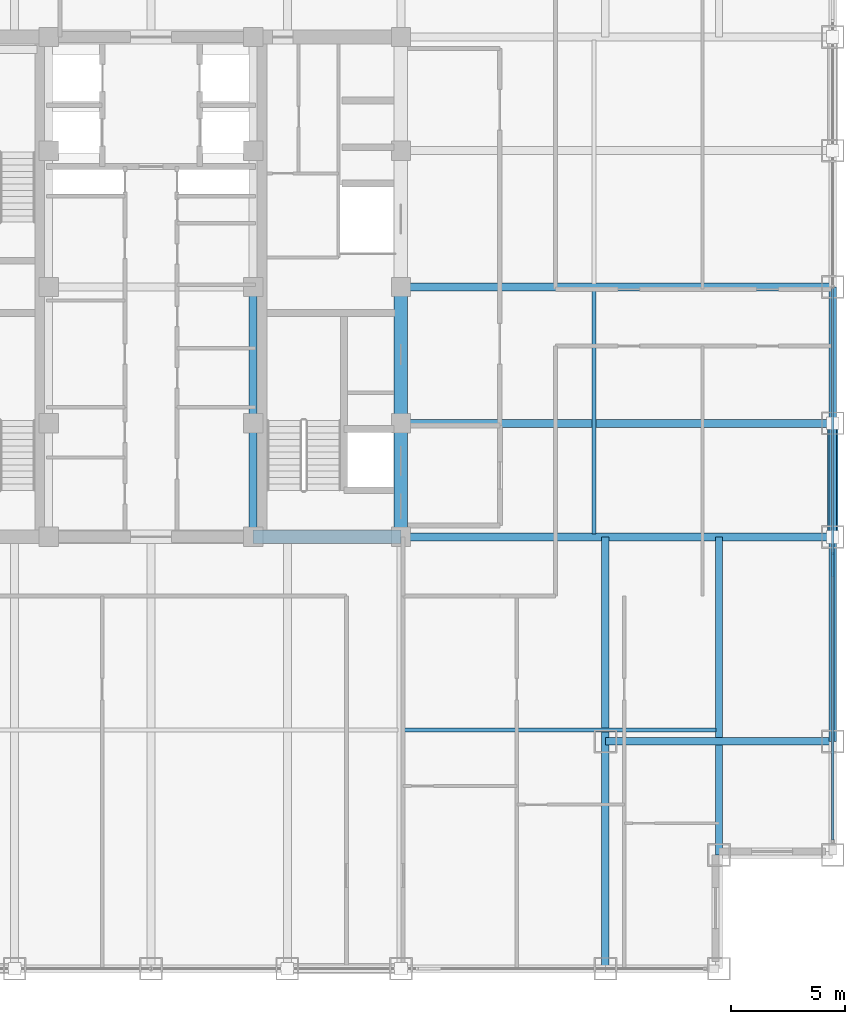
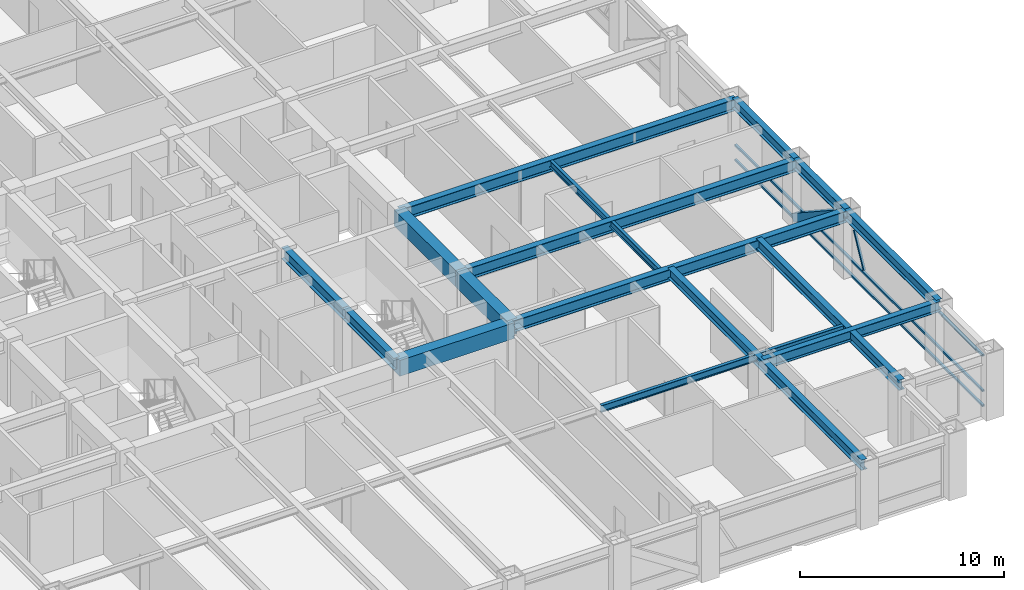
# One storey, part 9 of 25: 16 beams, 5 members, 1 element without a shape of its own.
"""IFC4 building model written with IfcOpenShell, lengths in metres."""

import ifcopenshell
import ifcopenshell.guid

model = None  # the IFC model being written
_history = None  # IfcOwnerHistory: only IFC2X3 demands one
_inside = {}  # id of a spatial element -> (the spatial element, [elements in it])
_under = {}  # id of a project, library or spatial element -> (it, [spatial elements below it])
_declared = {}  # id of a project -> (the project, [libraries it declares])
_typed = {}  # id of a type object -> (the type object, [elements of that type])
_made_of = {}  # id of a material, layer set ... -> (it, [elements and type objects made of it])


def new_model(schema):
    """Start an empty IFC model of exactly this schema.

    Asked for "IFC4X3", IfcOpenShell would pick the latest addendum, in which some entities
    have other attributes; the version numbers below select the first issue.
    IFC2X3 requires an IfcOwnerHistory on every rooted entity: one is made here for all.
    """
    global model, _history
    if schema == "IFC4X3":
        model = ifcopenshell.file(schema_version=(4, 3, 0, 0))
    else:
        model = ifcopenshell.file(schema=schema)
    _inside.clear()
    _under.clear()
    _declared.clear()
    _typed.clear()
    _made_of.clear()
    _history = None
    if model.schema == "IFC2X3":
        org = make("IfcOrganization", Name="unknown")
        user = make(
            "IfcPersonAndOrganization",
            ThePerson=make("IfcPerson", FamilyName="unknown"),
            TheOrganization=org,
        )
        app = make(
            "IfcApplication",
            ApplicationDeveloper=org,
            Version="unknown",
            ApplicationFullName="unknown",
            ApplicationIdentifier="unknown",
        )
        _history = make(
            "IfcOwnerHistory",
            OwningUser=user,
            OwningApplication=app,
            ChangeAction="ADDED",
            CreationDate=0,
        )
    return model


def make(cls, **values):
    """One entity of the class cls with the attributes given. An attribute that is None is left unset."""
    return model.create_entity(
        cls, **{name: value for name, value in values.items() if value is not None}
    )


def rooted(cls, **values):
    """An entity with a GlobalId (a new one), such as an element, a storey or a relation."""
    return make(cls, GlobalId=ifcopenshell.guid.new(), OwnerHistory=_history, **values)


def si_unit(unit_type, name, prefix=None):
    """IfcSIUnit, for example si_unit("LENGTHUNIT", "METRE", prefix="MILLI")."""
    return make("IfcSIUnit", UnitType=unit_type, Prefix=prefix, Name=name)


def assignment(units):
    """IfcUnitAssignment: the units of a project."""
    return None if units is None else make("IfcUnitAssignment", Units=units)


def point(xyz):
    """IfcCartesianPoint."""
    return None if xyz is None else make("IfcCartesianPoint", Coordinates=xyz)


def direction(xyz):
    """IfcDirection."""
    return None if xyz is None else make("IfcDirection", DirectionRatios=xyz)


def frame(location, z_axis=None, x_axis=None):
    """IfcAxis2Placement3D, a coordinate frame: its origin and axes. An axis left out is left unset."""
    return make(
        "IfcAxis2Placement3D",
        Location=point(location),
        Axis=direction(z_axis),
        RefDirection=direction(x_axis),
    )


def frame_2d(location, x_axis=None):
    """IfcAxis2Placement2D, a coordinate frame in the plane: its origin and x axis."""
    return make(
        "IfcAxis2Placement2D", Location=point(location), RefDirection=direction(x_axis)
    )


def origin():
    """The frame at (0, 0, 0) with its axes left unset."""
    return frame((0.0, 0.0, 0.0))


def origin_2d():
    """The frame at (0, 0) in the plane with its x axis left unset."""
    return frame_2d((0.0, 0.0))


def place(relative_to, where):
    """IfcLocalPlacement: puts the frame where relative to a parent placement (None: the world)."""
    return make(
        "IfcLocalPlacement", PlacementRelTo=relative_to, RelativePlacement=where
    )


def context(
    kind, dimensions, precision=None, world=None, true_north=None, identifier=None
):
    """IfcGeometricRepresentationContext, for example the 3D "Model" context."""
    return make(
        "IfcGeometricRepresentationContext",
        ContextIdentifier=identifier,
        ContextType=kind,
        CoordinateSpaceDimension=dimensions,
        Precision=precision,
        WorldCoordinateSystem=world,
        TrueNorth=true_north,
    )


def subcontext(parent, identifier, kind, view, scale=None):
    """IfcGeometricRepresentationSubContext, for example "Body" below "Model"."""
    return make(
        "IfcGeometricRepresentationSubContext",
        ContextIdentifier=identifier,
        ContextType=kind,
        ParentContext=parent,
        TargetScale=scale,
        TargetView=view,
    )


def project(units=None, contexts=None):
    """IfcProject with its units and contexts."""
    return rooted(
        "IfcProject",
        Name="project",
        RepresentationContexts=contexts,
        UnitsInContext=assignment(units),
    )


def spatial(cls, under=None, at=None, **own):
    """A site, building, storey or space (cls), placed at a placement, below another one or the project."""
    s = rooted(cls, ObjectPlacement=at, **own)
    if under is not None:
        _under.setdefault(under.id(), (under, []))[1].append(s)
    return s


def profile(cls, at=None, kind="AREA", **sizes):
    """A parametric profile (cls). Its sizes go by their IFC names, for example OverallWidth=200.0."""
    return make(cls, ProfileType=kind, Position=at, **sizes)


def rectangle(**sizes):
    """IfcRectangleProfileDef."""
    return profile("IfcRectangleProfileDef", **sizes)


def hollow_rectangle(**sizes):
    """IfcRectangleHollowProfileDef."""
    return profile("IfcRectangleHollowProfileDef", **sizes)


def i_section(**sizes):
    """IfcIShapeProfileDef."""
    return profile("IfcIShapeProfileDef", **sizes)


def extrude(swept, where, along, depth):
    """IfcExtrudedAreaSolid: the profile swept, set in the frame where, extruded along a direction by depth."""
    return make(
        "IfcExtrudedAreaSolid",
        SweptArea=swept,
        Position=where,
        ExtrudedDirection=direction(along),
        Depth=depth,
    )


def shape(context_of_items, identifier, shape_type, items):
    """IfcShapeRepresentation: the items that make up one representation, for example the "Body"."""
    return make(
        "IfcShapeRepresentation",
        ContextOfItems=context_of_items,
        RepresentationIdentifier=identifier,
        RepresentationType=shape_type,
        Items=items,
    )


def source(mapping_origin, context_of_items, identifier, shape_type, items):
    """IfcRepresentationMap: a shape defined once, which mapped items show again and again."""
    return make(
        "IfcRepresentationMap",
        MappingOrigin=mapping_origin,
        MappedRepresentation=shape(context_of_items, identifier, shape_type, items),
    )


def transform(
    local_origin,
    x_axis=None,
    y_axis=None,
    z_axis=None,
    scale=None,
    scale2=None,
    scale3=None,
    uniform=True,
):
    """IfcCartesianTransformationOperator3D, or its non-uniform kind. x_axis, y_axis, z_axis: its Axis1, 2, 3."""
    if uniform:
        return make(
            "IfcCartesianTransformationOperator3D",
            Axis1=direction(x_axis),
            Axis2=direction(y_axis),
            LocalOrigin=point(local_origin),
            Scale=scale,
            Axis3=direction(z_axis),
        )
    return make(
        "IfcCartesianTransformationOperator3DnonUniform",
        Axis1=direction(x_axis),
        Axis2=direction(y_axis),
        LocalOrigin=point(local_origin),
        Scale=scale,
        Axis3=direction(z_axis),
        Scale2=scale2,
        Scale3=scale3,
    )


def mapped(mapping_source, mapping_target):
    """IfcMappedItem: shows the shape of a source again, moved by a transform."""
    return make(
        "IfcMappedItem", MappingSource=mapping_source, MappingTarget=mapping_target
    )


def material(Name=None, Category=None):
    """IfcMaterial."""
    return make("IfcMaterial", Name=Name, Category=Category)


def material_profile(
    of_material, cross_section, Name=None, Category=None, Priority=None
):
    """IfcMaterialProfile: a cross section and its material."""
    return make(
        "IfcMaterialProfile",
        Name=Name,
        Material=of_material,
        Profile=cross_section,
        Priority=Priority,
        Category=Category,
    )


def profile_set(profiles, Name=None, composite=None):
    """IfcMaterialProfileSet."""
    return make(
        "IfcMaterialProfileSet",
        Name=Name,
        MaterialProfiles=profiles,
        CompositeProfile=composite,
    )


def made_of(thing, what):
    """Note that an element or type object is made of a material, layer set ...; save() writes the relation."""
    if what is not None:
        _made_of.setdefault(what.id(), (what, []))[1].append(thing)
    return thing


def type_object(cls, material=None, **own):
    """A type object (cls), such as IfcWallType, which elements share."""
    return made_of(rooted(cls, **own), material)


def element(
    cls,
    number,
    at=None,
    inside=None,
    cuts=None,
    type_object=None,
    material=None,
    context=None,
    identifier="Body",
    shape_type=None,
    held_by="IfcProductDefinitionShape",
    body=None,
    shapes=None,
    **own,
):
    """One element of the class cls, such as IfcWall. Its Tag is "e" and its number.

    at: its placement. inside: the storey or other place that contains it. cuts: it is an
    opening in that element (IfcRelVoidsElement). A single representation is given by context,
    identifier, shape_type and body (its items); several are given by shapes. held_by: the class
    of the entity that holds the representations. save() writes the other relations.
    """
    e = rooted(cls, Tag="e%d" % number, ObjectPlacement=at, **own)
    if body is not None:
        shapes = [shape(context, identifier, shape_type, body)]
    if shapes is not None:
        e.Representation = make(held_by, Representations=shapes)
    if inside is not None:
        _inside.setdefault(inside.id(), (inside, []))[1].append(e)
    if cuts is not None:
        rooted(
            "IfcRelVoidsElement", RelatingBuildingElement=cuts, RelatedOpeningElement=e
        )
    if type_object is not None:
        _typed.setdefault(type_object.id(), (type_object, []))[1].append(e)
    return made_of(e, material)


def aggregate(whole, parts):
    """IfcRelAggregates: a whole, such as a stair, and the parts it consists of."""
    return rooted("IfcRelAggregates", RelatingObject=whole, RelatedObjects=parts)


def save(model, path):
    """Write the relations noted so far, then the file.

    IfcRelAggregates (storeys below a building ...), IfcRelContainedInSpatialStructure (elements
    in a storey), IfcRelDefinesByType, IfcRelAssociatesMaterial and IfcRelDeclares: one each for
    every whole, place, type object, material and project.
    """
    for whole, parts in _under.values():
        aggregate(whole, parts)
    for where, things in _inside.values():
        rooted(
            "IfcRelContainedInSpatialStructure",
            RelatedElements=things,
            RelatingStructure=where,
        )
    for kind, things in _typed.values():
        rooted("IfcRelDefinesByType", RelatedObjects=things, RelatingType=kind)
    for what, things in _made_of.values():
        rooted("IfcRelAssociatesMaterial", RelatedObjects=things, RelatingMaterial=what)
    for by, libraries in _declared.values():
        rooted("IfcRelDeclares", RelatingContext=by, RelatedDefinitions=libraries)
    model.write(path)


model = new_model("IFC4")

# Units and contexts
model_context = context("Model", 3, precision=1e-05, world=origin(), true_north=direction((0.0, 1.0)))
body_context = subcontext(model_context, "Body", "Model", "MODEL_VIEW")
ifc_project = project(units=[si_unit("LENGTHUNIT", "METRE"), si_unit("AREAUNIT", "SQUARE_METRE"), si_unit("VOLUMEUNIT", "CUBIC_METRE"), si_unit("PLANEANGLEUNIT", "RADIAN"), si_unit("MASSUNIT", "GRAM", prefix="KILO")], contexts=[model_context])

# Site, building, storey
site_placement = place(None, origin())
site = spatial("IfcSite", under=ifc_project, at=site_placement, CompositionType="ELEMENT")
building_placement = place(site_placement, origin())
building = spatial("IfcBuilding", under=site, at=building_placement, Name="Khorayat Bourse Tower", CompositionType="ELEMENT")
storey_placement = place(building_placement, frame((0.0, 0.0, 255.10009765625)))
storey = spatial("IfcBuildingStorey", under=building, at=storey_placement, Name="L60", CompositionType="ELEMENT", Elevation=255.10009765625)

# Beams
ifc_material_1 = material(Name="Steel ASTM A992 Grade 50", Category="steel")
ifc_material_profile_1 = material_profile(ifc_material_1, i_section(OverallWidth=0.35498046875, OverallDepth=0.695068359375, WebThickness=0.015380859375, FlangeThickness=0.02490234375, FilletRadius=0.01806640625, at=origin_2d()), Name="W690X217")
ifc_profile_set_1 = profile_set([ifc_material_profile_1], Name="Steel ASTM A992 Grade 50")
beam_type_1 = type_object("IfcBeamType", Name="BM-GIRD-690", PredefinedType="BEAM", material=ifc_profile_set_1)
shared_shape_1 = source(origin(), body_context, "Body", "SweptSolid", [
    extrude(i_section(OverallWidth=0.35498046875, OverallDepth=0.695068359375, WebThickness=0.015380859375, FlangeThickness=0.02490234375, FilletRadius=0.01806640625, at=origin_2d()), origin(), (0.0, 0.0, 1.0), 5.0),
])
beam_1_placement = place(storey_placement, frame((4.5, -11.0, 3.432373046875), z_axis=(0.0, 1.0, 0.0), x_axis=(-1.0, 0.0, 0.0)))
element("IfcBeam", 1, at=beam_1_placement, inside=storey, type_object=beam_type_1, Name="L60 BM-GIRD-690 BM-L60-CRX-09", PredefinedType="BEAM", context=body_context, shape_type="MappedRepresentation", body=[
    mapped(shared_shape_1, transform((0.0, 0.0, 0.0), scale=1.0)),
])
shared_shape_2 = source(origin(), body_context, "Body", "SweptSolid", [
    extrude(i_section(OverallWidth=0.35498046875, OverallDepth=0.695068359375, WebThickness=0.015380859375, FlangeThickness=0.02490234375, FilletRadius=0.01806640625, at=origin_2d()), origin(), (0.0, 0.0, 1.0), 6.0),
])
beam_2_placement = place(storey_placement, frame((4.5, -6.0, 3.432373046875), z_axis=(0.0, 1.0, 0.0), x_axis=(-1.0, 0.0, 0.0)))
element("IfcBeam", 2, at=beam_2_placement, inside=storey, type_object=beam_type_1, Name="L60 BM-GIRD-690 BM-L60-CRX-10", PredefinedType="BEAM", context=body_context, shape_type="MappedRepresentation", body=[
    mapped(shared_shape_2, transform((0.0, 0.0, 0.0), scale=1.0)),
])
ifc_material_profile_2 = material_profile(ifc_material_1, i_section(OverallWidth=0.324951171875, OverallDepth=0.615966796875, WebThickness=0.013916015625, FlangeThickness=0.021484375, FilletRadius=0.01611328125, at=origin_2d()), Name="W610X174")
ifc_profile_set_2 = profile_set([ifc_material_profile_2], Name="Steel ASTM A992 Grade 50")
beam_type_2 = type_object("IfcBeamType", Name="BM-GIRD-610", PredefinedType="BEAM", material=ifc_profile_set_2)
shared_shape_3 = source(origin(), body_context, "Body", "SweptSolid", [
    extrude(i_section(OverallWidth=0.324951171875, OverallDepth=0.615966796875, WebThickness=0.013916015625, FlangeThickness=0.021484375, FilletRadius=0.01611328125, at=origin_2d()), origin(), (0.0, 0.0, 1.0), 19.0),
])
beam_3_placement = place(storey_placement, frame((20.0, -30.0, 3.471923828125), z_axis=(0.0, 1.0, 0.0), x_axis=(-1.0, 0.0, 0.0)))
element("IfcBeam", 3, at=beam_3_placement, inside=storey, type_object=beam_type_2, Name="L60 BM-GIRD-610 BM-L60-CNRY-086", PredefinedType="BEAM", context=body_context, shape_type="MappedRepresentation", body=[
    mapped(shared_shape_3, transform((0.0, 0.0, 0.0), scale=1.0)),
])
shared_shape_4 = source(origin(), body_context, "Body", "SweptSolid", [
    extrude(i_section(OverallWidth=0.324951171875, OverallDepth=0.615966796875, WebThickness=0.013916015625, FlangeThickness=0.021484375, FilletRadius=0.01611328125, at=origin_2d()), origin(), (0.0, 0.0, 1.0), 10.0),
])
beam_4_placement = place(storey_placement, frame((20.0, -20.0, 3.471923828125), z_axis=(1.0, 0.0, 0.0), x_axis=(0.0, 1.0, 0.0)))
element("IfcBeam", 4, at=beam_4_placement, inside=storey, type_object=beam_type_2, Name="L60 BM-GIRD-610 BM-L60-CNRX-092", PredefinedType="BEAM", context=body_context, shape_type="MappedRepresentation", body=[
    mapped(shared_shape_4, transform((0.0, 0.0, 0.0), scale=1.0)),
])
ifc_material_profile_3 = material_profile(ifc_material_1, i_section(OverallWidth=0.180908203125, OverallDepth=0.4169921875, WebThickness=0.010986328125, FlangeThickness=0.018310546875, FilletRadius=0.011962890625, at=origin_2d()), Name="W410X85")
ifc_profile_set_3 = profile_set([ifc_material_profile_3], Name="Steel ASTM A992 Grade 50")
beam_type_3 = type_object("IfcBeamType", Name="BM-JOIST-410", PredefinedType="JOIST", material=ifc_profile_set_3)
shared_shape_5 = source(origin(), body_context, "Body", "SweptSolid", [
    extrude(i_section(OverallWidth=0.180908203125, OverallDepth=0.4169921875, WebThickness=0.010986328125, FlangeThickness=0.018310546875, FilletRadius=0.011962890625, at=origin_2d()), origin(), (0.0, 0.0, 1.0), 10.740234375),
])
beam_5_placement = place(storey_placement, frame((19.5, -10.8701171875, 3.5712890625), z_axis=(0.0, 1.0, 0.0), x_axis=(-1.0, 0.0, 0.0)))
element("IfcBeam", 5, at=beam_5_placement, inside=storey, type_object=beam_type_3, Name="L60 BM-JOIST-410 BM-L60-JSTY-104", PredefinedType="JOIST", context=body_context, shape_type="MappedRepresentation", body=[
    mapped(shared_shape_5, transform((0.0, 0.0, 0.0), scale=1.0)),
])
ifc_material_profile_4 = material_profile(ifc_material_1, i_section(OverallWidth=0.324951171875, OverallDepth=0.615966796875, WebThickness=0.013916015625, FlangeThickness=0.021484375, FilletRadius=0.01611328125, at=origin_2d()), Name="W610X174")
ifc_profile_set_4 = profile_set([ifc_material_profile_4], Name="Steel ASTM A992 Grade 50")
beam_type_4 = type_object("IfcBeamType", Name="BM-SPAN-610", PredefinedType="SPANDREL", material=ifc_profile_set_4)
shared_shape_6 = source(origin(), body_context, "Body", "SweptSolid", [
    extrude(i_section(OverallWidth=0.324951171875, OverallDepth=0.615966796875, WebThickness=0.013916015625, FlangeThickness=0.021484375, FilletRadius=0.01611328125, at=origin_2d()), origin(), (0.0, 0.0, 1.0), 9.0),
])
beam_6_placement = place(storey_placement, frame((30.0, -20.0, 3.471923828125), z_axis=(0.0, 1.0, 0.0), x_axis=(-1.0, 0.0, 0.0)))
element("IfcBeam", 6, at=beam_6_placement, inside=storey, type_object=beam_type_4, Name="L60 BM-SPAN-610 BM-L60-SPN-035", PredefinedType="SPANDREL", context=body_context, shape_type="MappedRepresentation", body=[
    mapped(shared_shape_6, transform((0.0, 0.0, 0.0), scale=1.0)),
])
shared_shape_7 = source(origin(), body_context, "Body", "SweptSolid", [
    extrude(i_section(OverallWidth=0.324951171875, OverallDepth=0.615966796875, WebThickness=0.013916015625, FlangeThickness=0.021484375, FilletRadius=0.01611328125, at=origin_2d()), origin(), (0.0, 0.0, 1.0), 5.0),
])
beam_7_placement = place(storey_placement, frame((30.0, -11.0, 3.471923828125), z_axis=(0.0, 1.0, 0.0), x_axis=(-1.0, 0.0, 0.0)))
element("IfcBeam", 7, at=beam_7_placement, inside=storey, type_object=beam_type_4, Name="L60 BM-SPAN-610 BM-L60-SPN-036", PredefinedType="SPANDREL", context=body_context, shape_type="MappedRepresentation", body=[
    mapped(shared_shape_7, transform((0.0, 0.0, 0.0), scale=1.0)),
])
shared_shape_8 = source(origin(), body_context, "Body", "SweptSolid", [
    extrude(i_section(OverallWidth=0.324951171875, OverallDepth=0.615966796875, WebThickness=0.013916015625, FlangeThickness=0.021484375, FilletRadius=0.01611328125, at=origin_2d()), origin(), (0.0, 0.0, 1.0), 6.0),
])
beam_8_placement = place(storey_placement, frame((30.0, -6.0, 3.471923828125), z_axis=(0.0, 1.0, 0.0), x_axis=(-1.0, 0.0, 0.0)))
element("IfcBeam", 8, at=beam_8_placement, inside=storey, type_object=beam_type_4, Name="L60 BM-SPAN-610 BM-L60-SPN-037", PredefinedType="SPANDREL", context=body_context, shape_type="MappedRepresentation", body=[
    mapped(shared_shape_8, transform((0.0, 0.0, 0.0), scale=1.0)),
])
ifc_material_2 = material(Name="Concrete C60/75", Category="concrete")
ifc_material_profile_5 = material_profile(ifc_material_2, rectangle(XDim=0.60009765625, YDim=0.949951171875, at=origin_2d()), Name="RC 600x950")
ifc_profile_set_5 = profile_set([ifc_material_profile_5], Name="Concrete C60/75")
beam_type_5 = type_object("IfcBeamType", Name="BM-COUP-950", PredefinedType="BEAM", material=ifc_profile_set_5)
shared_shape_9 = source(origin(), body_context, "Body", "SweptSolid", [
    extrude(rectangle(XDim=0.60009765625, YDim=0.949951171875, at=origin_2d()), origin(), (0.0, 0.0, 1.0), 5.0),
])
beam_9_placement = place(storey_placement, frame((11.0, -11.0, 3.304931640625), z_axis=(0.0, 1.0, 0.0), x_axis=(-1.0, 0.0, 0.0)))
element("IfcBeam", 9, at=beam_9_placement, inside=storey, type_object=beam_type_5, Name="L60 BM-COUP-950 BM-L60-CRX-13", PredefinedType="BEAM", context=body_context, shape_type="MappedRepresentation", body=[
    mapped(shared_shape_9, transform((0.0, 0.0, 0.0), scale=1.0)),
])
shared_shape_10 = source(origin(), body_context, "Body", "SweptSolid", [
    extrude(rectangle(XDim=0.60009765625, YDim=0.949951171875, at=origin_2d()), origin(), (0.0, 0.0, 1.0), 6.0),
])
beam_10_placement = place(storey_placement, frame((11.0, -6.0, 3.304931640625), z_axis=(0.0, 1.0, 0.0), x_axis=(-1.0, 0.0, 0.0)))
element("IfcBeam", 10, at=beam_10_placement, inside=storey, type_object=beam_type_5, Name="L60 BM-COUP-950 BM-L60-CRX-14", PredefinedType="BEAM", context=body_context, shape_type="MappedRepresentation", body=[
    mapped(shared_shape_10, transform((0.0, 0.0, 0.0), scale=1.0)),
])
shared_shape_11 = source(origin(), body_context, "Body", "SweptSolid", [
    extrude(rectangle(XDim=0.60009765625, YDim=0.949951171875, at=origin_2d()), origin(), (0.0, 0.0, 1.0), 6.5),
])
beam_11_placement = place(storey_placement, frame((4.5, -11.0, 3.304931640625), z_axis=(1.0, 0.0, 0.0), x_axis=(0.0, 1.0, 0.0)))
element("IfcBeam", 11, at=beam_11_placement, inside=storey, type_object=beam_type_5, Name="L60 BM-COUP-950 BM-L60-CRY-19", PredefinedType="BEAM", context=body_context, shape_type="MappedRepresentation", body=[
    mapped(shared_shape_11, transform((0.0, 0.0, 0.0), scale=1.0)),
])
shared_shape_12 = source(origin(), body_context, "Body", "SweptSolid", [
    extrude(i_section(OverallWidth=0.35498046875, OverallDepth=0.695068359375, WebThickness=0.015380859375, FlangeThickness=0.02490234375, FilletRadius=0.01806640625, at=origin_2d()), origin(), (0.0, 0.0, 1.0), 19.0),
])
for number, where, z_axis, x_axis, name in (
    (12, (11.0, -11.0, 3.432373046875), (1.0, 0.0, 0.0), (0.0, 1.0, 0.0), "L60 BM-GIRD-690 BM-L60-RADX-074"),
    (13, (11.0, -6.0, 3.432373046875), (1.0, 0.0, 0.0), (0.0, 1.0, 0.0), "L60 BM-GIRD-690 BM-L60-RADX-076"),
    (14, (11.0, 0.0, 3.432373046875), (1.0, 0.0, 0.0), (0.0, 1.0, 0.0), "L60 BM-GIRD-690 BM-L60-RADX-078"),
):
    element("IfcBeam", number, at=place(storey_placement, frame(where, z_axis=z_axis, x_axis=x_axis)), inside=storey, type_object=beam_type_1, Name=name, PredefinedType="BEAM", context=body_context, shape_type="MappedRepresentation", body=[
        mapped(shared_shape_12, transform((0.0, 0.0, 0.0), scale=1.0)),
    ])
shared_shape_13 = source(origin(), body_context, "Body", "SweptSolid", [
    extrude(i_section(OverallWidth=0.324951171875, OverallDepth=0.615966796875, WebThickness=0.013916015625, FlangeThickness=0.021484375, FilletRadius=0.01611328125, at=origin_2d()), origin(), (0.0, 0.0, 1.0), 14.0),
])
beam_12_placement = place(storey_placement, frame((25.0, -25.0, 3.471923828125), z_axis=(0.0, 1.0, 0.0), x_axis=(-1.0, 0.0, 0.0)))
element("IfcBeam", 15, at=beam_12_placement, inside=storey, type_object=beam_type_2, Name="L60 BM-GIRD-610 BM-L60-CNRY-090", PredefinedType="BEAM", context=body_context, shape_type="MappedRepresentation", body=[
    mapped(shared_shape_13, transform((0.0, 0.0, 0.0), scale=1.0)),
])
shared_shape_14 = source(origin(), body_context, "Body", "SweptSolid", [
    extrude(i_section(OverallWidth=0.180908203125, OverallDepth=0.4169921875, WebThickness=0.010986328125, FlangeThickness=0.018310546875, FilletRadius=0.011962890625, at=origin_2d()), origin(), (0.0, 0.0, 1.0), 13.740234375),
])
beam_13_placement = place(storey_placement, frame((11.1298828125, -19.5, 3.5712890625), z_axis=(1.0, 0.0, 0.0), x_axis=(0.0, 1.0, 0.0)))
element("IfcBeam", 16, at=beam_13_placement, inside=storey, type_object=beam_type_3, Name="L60 BM-JOIST-410 BM-L60-JSTX-098", PredefinedType="JOIST", context=body_context, shape_type="MappedRepresentation", body=[
    mapped(shared_shape_14, transform((0.0, 0.0, 0.0), scale=1.0)),
])

# Member
ifc_material_3 = material(Name="Steel EN 10025-4 S460M", Category="steel")
ifc_material_profile_6 = material_profile(ifc_material_3, hollow_rectangle(XDim=0.449951171875, YDim=0.449951171875, WallThickness=0.02490234375, at=origin_2d()), Name="HSS 450x450x25")
ifc_profile_set_6 = profile_set([ifc_material_profile_6], Name="Steel EN 10025-4 S460M")
member_type_1 = type_object("IfcMemberType", Name="MBR-TUBE-450", PredefinedType="BRACE", material=ifc_profile_set_6)
shared_shape_15 = source(origin(), body_context, "Body", "SweptSolid", [
    extrude(hollow_rectangle(XDim=0.449951171875, YDim=0.449951171875, WallThickness=0.02490234375, at=origin_2d()), origin(), (0.0, 0.0, 1.0), 5.979736328125),
])
member_1_placement = place(storey_placement, frame((30.0, -11.0, 3.52978515625), z_axis=(0.0, 0.836160261256, -0.548485202623), x_axis=(-1.0, 0.0, 0.0)))
element("IfcMember", 17, at=member_1_placement, inside=storey, type_object=member_type_1, Name="L60 Perimeter Tube Brace 07", PredefinedType="BRACE", context=body_context, shape_type="MappedRepresentation", body=[
    mapped(shared_shape_15, transform((0.0, 0.0, 0.0), scale=1.0)),
])

# Curtain wall, members
ifc_material_4 = material(Name="Aluminium EN AW-6063 T6", Category="aluminium")
curtain_wall_type = type_object("IfcCurtainWallType", Name="CW-SYS-03", PredefinedType="NOTDEFINED", material=ifc_material_4)
curtain_wall_placement = place(storey_placement, origin())
curtain_wall = element("IfcCurtainWall", 18, at=curtain_wall_placement, inside=storey, type_object=curtain_wall_type, Name="L60 Curtain Wall CW-L60-E1", PredefinedType="NOTDEFINED")
ifc_material_profile_7 = material_profile(ifc_material_4, hollow_rectangle(XDim=0.1201171875, YDim=0.1201171875, WallThickness=0.0048828125, at=origin_2d()), Name="ALU 120x120x5")
ifc_profile_set_7 = profile_set([ifc_material_profile_7], Name="Aluminium EN AW-6063 T6")
member_type_2 = type_object("IfcMemberType", Name="CWM-DIAG-120", PredefinedType="MULLION", material=ifc_profile_set_7)
shared_shape_16 = source(origin(), body_context, "Body", "SweptSolid", [
    extrude(hollow_rectangle(XDim=0.1201171875, YDim=0.1201171875, WallThickness=0.0048828125, at=origin_2d()), origin(), (0.0, 0.0, 1.0), 2.079345703125),
])
member_2_placement = place(storey_placement, frame((30.0, -12.67919921875, 1.08984375), z_axis=(0.0, 0.465760949701, 0.884910581773), x_axis=(-1.0, 0.0, 0.0)))
member_2 = element("IfcMember", 19, at=member_2_placement, type_object=member_type_2, Name="CW-L60-E1 Faceted Diagonal Mullion 1", PredefinedType="MULLION", context=body_context, shape_type="MappedRepresentation", body=[
    mapped(shared_shape_16, transform((0.0, 0.0, 0.0), scale=1.0)),
])
ifc_material_profile_8 = material_profile(ifc_material_4, hollow_rectangle(XDim=0.1201171875, YDim=0.1201171875, WallThickness=0.0048828125, at=origin_2d()), Name="ALU 120x120x5")
ifc_profile_set_8 = profile_set([ifc_material_profile_8], Name="Aluminium EN AW-6063 T6")
member_type_3 = type_object("IfcMemberType", Name="CWT-HORZ-120", PredefinedType="USERDEFINED", material=ifc_profile_set_8)
shared_shape_17 = source(origin(), body_context, "Body", "SweptSolid", [
    extrude(hollow_rectangle(XDim=0.1201171875, YDim=0.1201171875, WallThickness=0.0048828125, at=origin_2d()), origin(), (0.0, 0.0, 1.0), 24.27001953125),
])
member_3_placement = place(storey_placement, frame((30.0, -24.330078125, 0.059814453125), z_axis=(0.0, 1.0, 0.0), x_axis=(-1.0, 0.0, 0.0)))
member_3 = element("IfcMember", 20, at=member_3_placement, type_object=member_type_3, Name="CW-L60-E1 Horizontal Transom 1-1", ObjectType="TRANSOM", PredefinedType="USERDEFINED", context=body_context, shape_type="MappedRepresentation", body=[
    mapped(shared_shape_17, transform((0.0, 0.0, 0.0), scale=1.0)),
])
member_4_placement = place(storey_placement, frame((30.0, -24.330078125, 0.949951171875), z_axis=(0.0, 1.0, 0.0), x_axis=(-1.0, 0.0, 0.0)))
member_4 = element("IfcMember", 21, at=member_4_placement, type_object=member_type_3, Name="CW-L60-E1 Horizontal Transom 1-2", ObjectType="TRANSOM", PredefinedType="USERDEFINED", context=body_context, shape_type="MappedRepresentation", body=[
    mapped(shared_shape_17, transform((0.0, 0.0, 0.0), scale=1.0)),
])
member_5_placement = place(storey_placement, frame((30.0, -24.330078125, 3.06982421875), z_axis=(0.0, 1.0, 0.0), x_axis=(-1.0, 0.0, 0.0)))
member_5 = element("IfcMember", 22, at=member_5_placement, type_object=member_type_3, Name="CW-L60-E1 Horizontal Transom 1-3", ObjectType="TRANSOM", PredefinedType="USERDEFINED", context=body_context, shape_type="MappedRepresentation", body=[
    mapped(shared_shape_17, transform((0.0, 0.0, 0.0), scale=1.0)),
])
aggregate(curtain_wall, [member_3, member_4, member_5, member_2])

save(model, "model.ifc")
